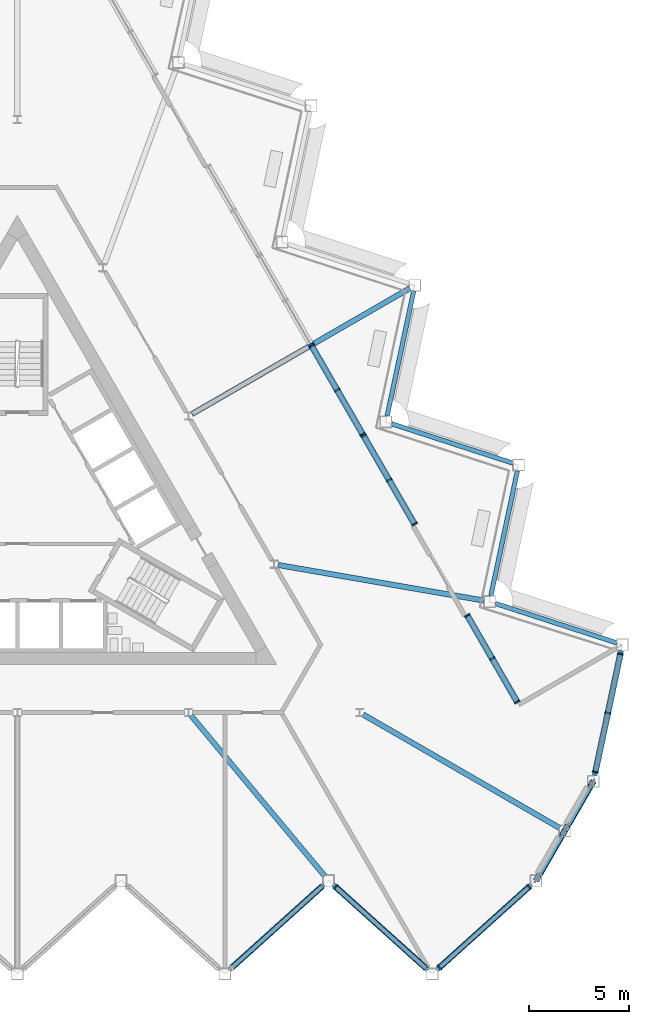
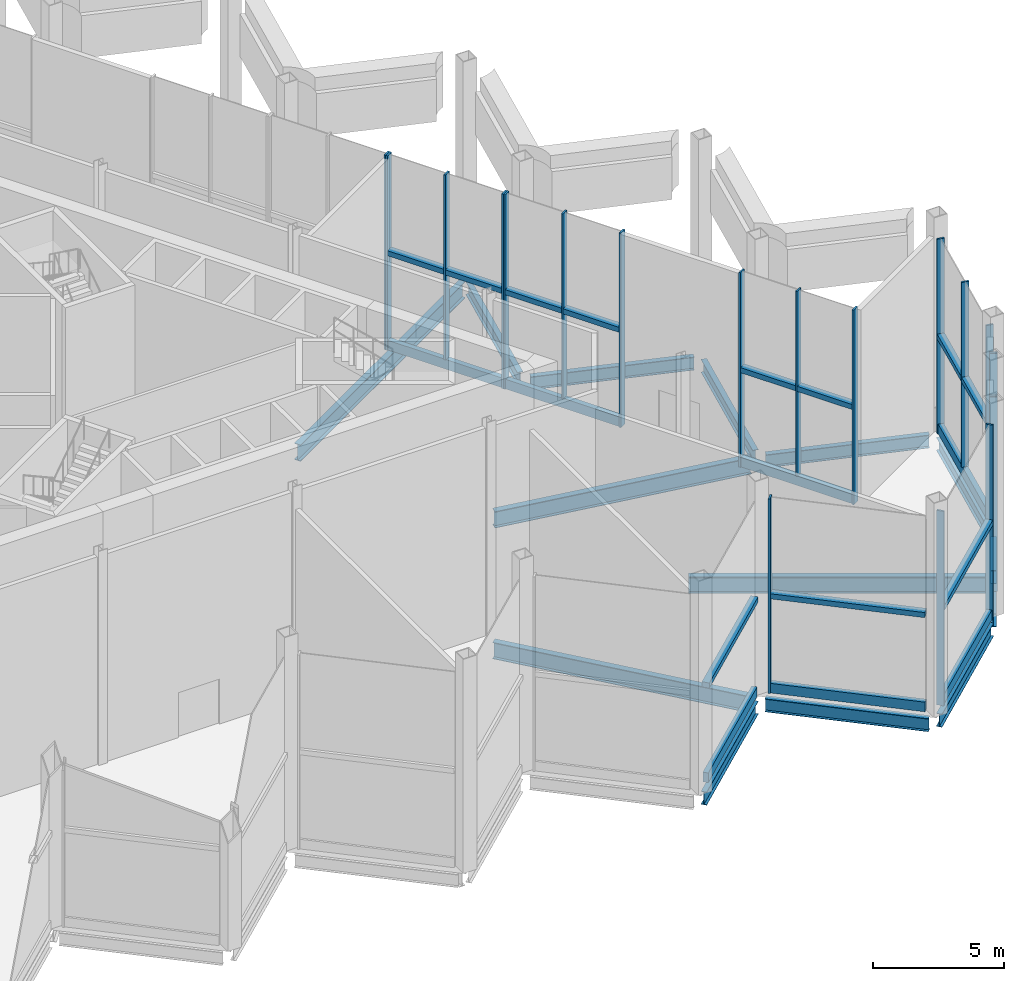
# One storey, part 5 of 18: 36 members, 14 beams, 6 elements without a shape of their own.
"""IFC4 building model written with IfcOpenShell, lengths in metres."""

from ifc_helpers import new_model, si_unit, direction, frame, origin, origin_2d, place, context, subcontext, project, spatial, rectangle, hollow_rectangle, i_section, extrude, material, layer, layer_set, material_profile, profile_set, type_object, element, aggregate, save


model = new_model("IFC4")

# Units and contexts
model_context = context("Model", 3, precision=1e-05, world=origin(), true_north=direction((0.0, 1.0)))
body_context = subcontext(model_context, "Body", "Model", "MODEL_VIEW")
ifc_project = project(units=[si_unit("LENGTHUNIT", "METRE"), si_unit("AREAUNIT", "SQUARE_METRE"), si_unit("VOLUMEUNIT", "CUBIC_METRE"), si_unit("PLANEANGLEUNIT", "RADIAN"), si_unit("MASSUNIT", "GRAM", prefix="KILO")], contexts=[model_context])

# Site, building, storey
site_placement = place(None, origin())
site = spatial("IfcSite", under=ifc_project, at=site_placement, CompositionType="ELEMENT")
building_placement = place(site_placement, origin())
building = spatial("IfcBuilding", under=site, at=building_placement, Name="Cormorant Prow Tower", CompositionType="ELEMENT")
storey_placement = place(building_placement, frame((0.0, 0.0, 346.0)))
storey = spatial("IfcBuildingStorey", under=building, at=storey_placement, Name="L78", CompositionType="ELEMENT", Elevation=346.0)

# Members
ifc_material_1 = material(Name="Structural steel ASTM A500 Gr C", Category="steel")
ifc_material_profile_1 = material_profile(ifc_material_1, hollow_rectangle(XDim=0.3046875, YDim=0.3046875, WallThickness=0.01171875, at=origin_2d()), Name="HSS12x12x1/2")
ifc_profile_set_1 = profile_set([ifc_material_profile_1], Name="Structural steel ASTM A500 Gr C")
member_type_1 = type_object("IfcMemberType", Name="Chamfer brace HSS12x12x1/2", PredefinedType="BRACE", material=ifc_profile_set_1)
for number, where, z_axis, x_axis, name in (
    (1, (26.054443359375, -18.224609375, 0.924072265625), (0.171162385088, 0.296444886131, 0.939587072824), (-0.866012943183, 0.500021581774, 0.0), "Chamfer brace BR3 at ESE00 L78"),
    (2, (27.491455078125, -15.73583984375, 0.924072265625), (0.171130020601, 0.296475393957, 0.93958334214), (-0.866076158501, 0.499912079947, 0.0), "Chamfer brace BR3 at ESE01 L78"),
):
    element("IfcMember", number, at=place(storey_placement, frame(where, z_axis=z_axis, x_axis=x_axis)), inside=storey, type_object=member_type_1, Name=name, PredefinedType="BRACE", context=body_context, shape_type="SweptSolid", body=[
        extrude(hollow_rectangle(XDim=0.3046875, YDim=0.3046875, WallThickness=0.01171875, at=origin_2d()), origin(), (0.0, 0.0, 1.0), 7.705322265625),
    ])

# Beams
ifc_material_2 = material(Name="Structural steel ASTM A992 Gr 50", Category="steel")
ifc_material_profile_2 = material_profile(ifc_material_2, i_section(OverallWidth=0.267822265625, OverallDepth=0.77001953125, WebThickness=0.015625, FlangeThickness=0.025390625, at=origin_2d()), Name="W30x132")
ifc_profile_set_2 = profile_set([ifc_material_profile_2], Name="Structural steel ASTM A992 Gr 50")
beam_type_1 = type_object("IfcBeamType", Name="Radial floor beam W30x132", PredefinedType="BEAM", material=ifc_profile_set_2)
beam_1_placement = place(storey_placement, frame((8.705078125, -10.057373046875, -0.68505859375), z_axis=(0.640239469619, -0.768175384624, 0.0), x_axis=(0.768175384624, 0.640239469619, 0.0)))
element("IfcBeam", 3, at=beam_1_placement, inside=storey, type_object=beam_type_1, Name="Radial floor beam FB3 8 L78", PredefinedType="BEAM", context=body_context, shape_type="SweptSolid", body=[
    extrude(i_section(OverallWidth=0.267822265625, OverallDepth=0.77001953125, WebThickness=0.015625, FlangeThickness=0.025390625, at=origin_2d()), origin(), (0.0, 0.0, 1.0), 10.465087890625),
])
beam_2_placement = place(storey_placement, frame((17.328125, -10.00439453125, -0.68505859375), z_axis=(0.866024637028, -0.500001328059, 0.0), x_axis=(0.500001328059, 0.866024637028, 0.0)))
element("IfcBeam", 4, at=beam_2_placement, inside=storey, type_object=beam_type_1, Name="Radial floor beam FB3 9 L78", PredefinedType="BEAM", context=body_context, shape_type="SweptSolid", body=[
    extrude(i_section(OverallWidth=0.267822265625, OverallDepth=0.77001953125, WebThickness=0.015625, FlangeThickness=0.025390625, at=origin_2d()), origin(), (0.0, 0.0, 1.0), 11.3671875),
])
beam_3_placement = place(storey_placement, frame((13.0625, -2.510009765625, -0.68505859375), z_axis=(0.985379592304, -0.170373293304, 0.0), x_axis=(0.170373293304, 0.985379592304, 0.0)))
element("IfcBeam", 5, at=beam_3_placement, inside=storey, type_object=beam_type_1, Name="Radial floor beam FB3 10 L78", PredefinedType="BEAM", context=body_context, shape_type="SweptSolid", body=[
    extrude(i_section(OverallWidth=0.267822265625, OverallDepth=0.77001953125, WebThickness=0.015625, FlangeThickness=0.025390625, at=origin_2d()), origin(), (0.0, 0.0, 1.0), 10.465087890625),
])
beam_4_placement = place(storey_placement, frame((8.749755859375, 5.051513671875, -0.68505859375), z_axis=(0.866021086443, 0.50000747778, 0.0), x_axis=(-0.50000747778, 0.866021086443, 0.0)))
element("IfcBeam", 6, at=beam_4_placement, inside=storey, type_object=beam_type_1, Name="Radial floor beam FB3 11 L78", PredefinedType="BEAM", context=body_context, shape_type="SweptSolid", body=[
    extrude(i_section(OverallWidth=0.267822265625, OverallDepth=0.77001953125, WebThickness=0.015625, FlangeThickness=0.025390625, at=origin_2d()), origin(), (0.0, 0.0, 1.0), 12.604736328125),
])

# Curtain wall, members
ifc_material_3 = material(Name="Aluminium 6063-T6", Category="aluminium")
ifc_layer = layer(ifc_material_3, 0.300048828125)
ifc_layer_set = layer_set([ifc_layer], Name="Aluminium 6063-T6")
curtain_wall_type = type_object("IfcCurtainWallType", Name="Sky lobby unitised curtain wall 300", PredefinedType="NOTDEFINED", material=ifc_layer_set)
curtain_wall_1_placement = place(storey_placement, origin())
curtain_wall_1 = element("IfcCurtainWall", 7, at=curtain_wall_1_placement, inside=storey, type_object=curtain_wall_type, Name="Sky lobby curtain wall S00-S09", PredefinedType="NOTDEFINED")
ifc_material_4 = material(Name="Aluminium 6063-T6", Category="aluminium")
ifc_material_profile_3 = material_profile(ifc_material_4, rectangle(XDim=0.300048828125, YDim=0.239990234375, at=origin_2d()), Name="Sky lobby intermediate transom 300x240")
ifc_profile_set_3 = profile_set([ifc_material_profile_3], Name="Aluminium 6063-T6")
member_type_2 = type_object("IfcMemberType", Name="Sky lobby intermediate transom 300x240", PredefinedType="USERDEFINED", material=ifc_profile_set_3)
member_1_placement = place(storey_placement, frame((10.780029296875, -22.6640625, 4.5439453125), z_axis=(0.743153626468, 0.66912083174, 0.0), x_axis=(-0.66912083174, 0.743153626468, 0.0)))
member_1 = element("IfcMember", 8, at=member_1_placement, type_object=member_type_2, Name="Sky lobby intermediate transom S00-S09", ObjectType="TRANSOM", PredefinedType="USERDEFINED", context=body_context, shape_type="SweptSolid", body=[
    extrude(rectangle(XDim=0.300048828125, YDim=0.239990234375, at=origin_2d()), origin(), (0.0, 0.0, 1.0), 6.048095703125),
])
member_2_placement = place(storey_placement, frame((15.979248046875, -18.670654296875, 4.5439453125), z_axis=(0.743133553875, -0.669143124529, 0.0), x_axis=(0.669143124529, 0.743133553875, 0.0)))
member_2 = element("IfcMember", 9, at=member_2_placement, type_object=member_type_2, Name="Sky lobby intermediate transom S00-S09", ObjectType="TRANSOM", PredefinedType="USERDEFINED", context=body_context, shape_type="SweptSolid", body=[
    extrude(rectangle(XDim=0.300048828125, YDim=0.239990234375, at=origin_2d()), origin(), (0.0, 0.0, 1.0), 6.048095703125),
])
member_3_placement = place(storey_placement, frame((21.17822265625, -22.6640625, 4.5439453125), z_axis=(0.743157849422, 0.66911614152, 0.0), x_axis=(-0.66911614152, 0.743157849422, 0.0)))
member_3 = element("IfcMember", 10, at=member_3_placement, type_object=member_type_2, Name="Sky lobby intermediate transom S00-S09", ObjectType="TRANSOM", PredefinedType="USERDEFINED", context=body_context, shape_type="SweptSolid", body=[
    extrude(rectangle(XDim=0.300048828125, YDim=0.239990234375, at=origin_2d()), origin(), (0.0, 0.0, 1.0), 5.96826171875),
])

curtain_wall_2_placement = place(storey_placement, origin())
curtain_wall_2 = element("IfcCurtainWall", 11, at=curtain_wall_2_placement, inside=storey, type_object=curtain_wall_type, Name="Sky lobby curtain wall ENE00", PredefinedType="NOTDEFINED")
member_4_placement = place(storey_placement, frame((28.97607421875, -12.846435546875, 4.5439453125), z_axis=(0.207903387829, 0.978149365552, 0.0), x_axis=(-0.978149365552, 0.207903387829, 0.0)))
member_4 = element("IfcMember", 12, at=member_4_placement, type_object=member_type_2, Name="Sky lobby intermediate transom ENE00", ObjectType="TRANSOM", PredefinedType="USERDEFINED", context=body_context, shape_type="SweptSolid", body=[
    extrude(rectangle(XDim=0.300048828125, YDim=0.239990234375, at=origin_2d()), origin(), (0.0, 0.0, 1.0), 2.94384765625),
])
member_5_placement = place(storey_placement, frame((29.604736328125, -9.888427734375, 4.5439453125), z_axis=(0.207903387829, 0.978149365552, 0.0), x_axis=(-0.978149365552, 0.207903387829, 0.0)))
member_5 = element("IfcMember", 13, at=member_5_placement, type_object=member_type_2, Name="Sky lobby intermediate transom ENE00", ObjectType="TRANSOM", PredefinedType="USERDEFINED", context=body_context, shape_type="SweptSolid", body=[
    extrude(rectangle(XDim=0.300048828125, YDim=0.239990234375, at=origin_2d()), origin(), (0.0, 0.0, 1.0), 2.94384765625),
])

curtain_wall_3_placement = place(storey_placement, origin())
curtain_wall_3 = element("IfcCurtainWall", 14, at=curtain_wall_3_placement, inside=storey, type_object=curtain_wall_type, Name="Sky lobby curtain wall loggia ENE01", PredefinedType="NOTDEFINED")
member_6_placement = place(storey_placement, frame((25.03271484375, -9.341552734375, 4.5439453125), z_axis=(-0.500059486739, 0.865991056375, 0.0), x_axis=(-0.865991056375, -0.500059486739, 0.0)))
member_6 = element("IfcMember", 15, at=member_6_placement, type_object=member_type_2, Name="Sky lobby intermediate transom loggia ENE01", ObjectType="TRANSOM", PredefinedType="USERDEFINED", context=body_context, shape_type="SweptSolid", body=[
    extrude(rectangle(XDim=0.300048828125, YDim=0.239990234375, at=origin_2d()), origin(), (0.0, 0.0, 1.0), 2.424560546875),
])
member_7_placement = place(storey_placement, frame((23.7802734375, -7.172607421875, 4.5439453125), z_axis=(-0.499940363534, 0.866059832176, 0.0), x_axis=(-0.866059832176, -0.499940363534, 0.0)))
member_7 = element("IfcMember", 16, at=member_7_placement, type_object=member_type_2, Name="Sky lobby intermediate transom loggia ENE01", ObjectType="TRANSOM", PredefinedType="USERDEFINED", context=body_context, shape_type="SweptSolid", body=[
    extrude(rectangle(XDim=0.300048828125, YDim=0.239990234375, at=origin_2d()), origin(), (0.0, 0.0, 1.0), 2.424560546875),
])

curtain_wall_4_placement = place(storey_placement, origin())
curtain_wall_4 = element("IfcCurtainWall", 17, at=curtain_wall_4_placement, inside=storey, type_object=curtain_wall_type, Name="Sky lobby curtain wall loggia ENE03", PredefinedType="NOTDEFINED")
member_8_placement = place(storey_placement, frame((19.888427734375, -0.431640625, 4.5439453125), z_axis=(-0.500015093611, 0.866016689309, 0.0), x_axis=(-0.866016689309, -0.500015093611, 0.0)))
member_8 = element("IfcMember", 18, at=member_8_placement, type_object=member_type_2, Name="Sky lobby intermediate transom loggia ENE03", ObjectType="TRANSOM", PredefinedType="USERDEFINED", context=body_context, shape_type="SweptSolid", body=[
    extrude(rectangle(XDim=0.300048828125, YDim=0.239990234375, at=origin_2d()), origin(), (0.0, 0.0, 1.0), 2.4794921875),
])
member_9_placement = place(storey_placement, frame((18.608642578125, 1.784912109375, 4.5439453125), z_axis=(-0.500015093611, 0.866016689309, 0.0), x_axis=(-0.866016689309, -0.500015093611, 0.0)))
member_9 = element("IfcMember", 19, at=member_9_placement, type_object=member_type_2, Name="Sky lobby intermediate transom loggia ENE03", ObjectType="TRANSOM", PredefinedType="USERDEFINED", context=body_context, shape_type="SweptSolid", body=[
    extrude(rectangle(XDim=0.300048828125, YDim=0.239990234375, at=origin_2d()), origin(), (0.0, 0.0, 1.0), 2.4794921875),
])

curtain_wall_5_placement = place(storey_placement, origin())
curtain_wall_5 = element("IfcCurtainWall", 20, at=curtain_wall_5_placement, inside=storey, type_object=curtain_wall_type, Name="Sky lobby curtain wall loggia ENE04", PredefinedType="NOTDEFINED")
member_10_placement = place(storey_placement, frame((17.2890625, 4.07080078125, 4.5439453125), z_axis=(-0.499972458349, 0.86604130438, 0.0), x_axis=(-0.86604130438, -0.499972458349, 0.0)))
member_10 = element("IfcMember", 21, at=member_10_placement, type_object=member_type_2, Name="Sky lobby intermediate transom loggia ENE04", ObjectType="TRANSOM", PredefinedType="USERDEFINED", context=body_context, shape_type="SweptSolid", body=[
    extrude(rectangle(XDim=0.300048828125, YDim=0.239990234375, at=origin_2d()), origin(), (0.0, 0.0, 1.0), 2.479736328125),
])
member_11_placement = place(storey_placement, frame((16.00927734375, 6.287353515625, 4.5439453125), z_axis=(-0.499972458349, 0.86604130438, 0.0), x_axis=(-0.86604130438, -0.499972458349, 0.0)))
member_11 = element("IfcMember", 22, at=member_11_placement, type_object=member_type_2, Name="Sky lobby intermediate transom loggia ENE04", ObjectType="TRANSOM", PredefinedType="USERDEFINED", context=body_context, shape_type="SweptSolid", body=[
    extrude(rectangle(XDim=0.300048828125, YDim=0.239990234375, at=origin_2d()), origin(), (0.0, 0.0, 1.0), 2.479736328125),
])

# Member
ifc_material_5 = material(Name="Aluminium 6063-T6", Category="aluminium")
ifc_material_profile_4 = material_profile(ifc_material_5, rectangle(XDim=0.300048828125, YDim=0.080078125, at=origin_2d()), Name="Sky lobby mullion 80x300")
ifc_profile_set_4 = profile_set([ifc_material_profile_4], Name="Aluminium 6063-T6")
member_type_3 = type_object("IfcMemberType", Name="Sky lobby mullion 80x300", PredefinedType="MULLION", material=ifc_profile_set_4)
member_12_placement = place(storey_placement, frame((15.949462890625, -18.64404296875, 0.0), z_axis=(0.0, 0.0, 1.0), x_axis=(0.669130688656, 0.743144751377, 0.0)))
member_12 = element("IfcMember", 23, at=member_12_placement, type_object=member_type_3, Name="Sky lobby mullion S00-S09", PredefinedType="MULLION", context=body_context, shape_type="SweptSolid", body=[
    extrude(rectangle(XDim=0.300048828125, YDim=0.080078125, at=origin_2d()), origin(), (0.0, 0.0, 1.0), 9.087890625),
])

member_13_placement = place(storey_placement, frame((21.148681640625, -22.69091796875, 0.0), z_axis=(0.0, 0.0, 1.0), x_axis=(-0.669130617578, 0.743144815375, 0.0)))
member_13 = element("IfcMember", 24, at=member_13_placement, type_object=member_type_3, Name="Sky lobby mullion S00-S09", PredefinedType="MULLION", context=body_context, shape_type="SweptSolid", body=[
    extrude(rectangle(XDim=0.300048828125, YDim=0.080078125, at=origin_2d()), origin(), (0.0, 0.0, 1.0), 9.087890625),
])

member_14_placement = place(storey_placement, frame((25.64306640625, -18.64404296875, 0.0), z_axis=(0.0, 0.0, 1.0), x_axis=(-0.669130617578, 0.743144815375, 0.0)))
member_14 = element("IfcMember", 25, at=member_14_placement, type_object=member_type_3, Name="Sky lobby mullion S00-S09", PredefinedType="MULLION", context=body_context, shape_type="SweptSolid", body=[
    extrude(rectangle(XDim=0.300048828125, YDim=0.080078125, at=origin_2d()), origin(), (0.0, 0.0, 1.0), 9.087890625),
])

member_15_placement = place(storey_placement, frame((28.9677734375, -12.885498046875, 0.0), z_axis=(0.0, 0.0, 1.0), x_axis=(-0.978147585431, 0.20791176281, 0.0)))
member_15 = element("IfcMember", 26, at=member_15_placement, type_object=member_type_3, Name="Sky lobby mullion ENE00", PredefinedType="MULLION", context=body_context, shape_type="SweptSolid", body=[
    extrude(rectangle(XDim=0.300048828125, YDim=0.080078125, at=origin_2d()), origin(), (0.0, 0.0, 1.0), 9.087890625),
])

member_16_placement = place(storey_placement, frame((29.596435546875, -9.927734375, 0.449951171875), z_axis=(0.0, 0.0, 1.0), x_axis=(-0.978147585431, 0.20791176281, 0.0)))
member_16 = element("IfcMember", 27, at=member_16_placement, type_object=member_type_3, Name="Sky lobby mullion ENE00", PredefinedType="MULLION", context=body_context, shape_type="SweptSolid", body=[
    extrude(rectangle(XDim=0.300048828125, YDim=0.080078125, at=origin_2d()), origin(), (0.0, 0.0, 1.0), 8.637939453125),
])

member_17_placement = place(storey_placement, frame((30.22509765625, -6.9697265625, 0.0), z_axis=(0.0, 0.0, 1.0), x_axis=(-0.978147585431, 0.20791176281, 0.0)))
member_17 = element("IfcMember", 28, at=member_17_placement, type_object=member_type_3, Name="Sky lobby mullion ENE00", PredefinedType="MULLION", context=body_context, shape_type="SweptSolid", body=[
    extrude(rectangle(XDim=0.300048828125, YDim=0.080078125, at=origin_2d()), origin(), (0.0, 0.0, 1.0), 9.087890625),
])

member_18_placement = place(storey_placement, frame((25.052490234375, -9.376220703125, 0.0), z_axis=(0.0, 0.0, 1.0), x_axis=(-0.866025413174, -0.499999983736, 0.0)))
member_18 = element("IfcMember", 29, at=member_18_placement, type_object=member_type_3, Name="Sky lobby mullion loggia ENE01", PredefinedType="MULLION", context=body_context, shape_type="SweptSolid", body=[
    extrude(rectangle(XDim=0.300048828125, YDim=0.080078125, at=origin_2d()), origin(), (0.0, 0.0, 1.0), 9.087890625),
])

member_19_placement = place(storey_placement, frame((23.80029296875, -7.207275390625, 0.449951171875), z_axis=(0.0, 0.0, 1.0), x_axis=(-0.866025413174, -0.499999983736, 0.0)))
member_19 = element("IfcMember", 30, at=member_19_placement, type_object=member_type_3, Name="Sky lobby mullion loggia ENE01", PredefinedType="MULLION", context=body_context, shape_type="SweptSolid", body=[
    extrude(rectangle(XDim=0.300048828125, YDim=0.080078125, at=origin_2d()), origin(), (0.0, 0.0, 1.0), 8.637939453125),
])

member_20_placement = place(storey_placement, frame((22.548095703125, -5.0380859375, 0.0), z_axis=(0.0, 0.0, 1.0), x_axis=(-0.866025413174, -0.499999983736, 0.0)))
member_20 = element("IfcMember", 31, at=member_20_placement, type_object=member_type_3, Name="Sky lobby mullion loggia ENE01", PredefinedType="MULLION", context=body_context, shape_type="SweptSolid", body=[
    extrude(rectangle(XDim=0.300048828125, YDim=0.080078125, at=origin_2d()), origin(), (0.0, 0.0, 1.0), 9.087890625),
])

member_21_placement = place(storey_placement, frame((19.908447265625, -0.46630859375, 0.0), z_axis=(0.0, 0.0, 1.0), x_axis=(-0.866025413174, -0.499999983736, 0.0)))
member_21 = element("IfcMember", 32, at=member_21_placement, type_object=member_type_3, Name="Sky lobby mullion loggia ENE03", PredefinedType="MULLION", context=body_context, shape_type="SweptSolid", body=[
    extrude(rectangle(XDim=0.300048828125, YDim=0.080078125, at=origin_2d()), origin(), (0.0, 0.0, 1.0), 9.087890625),
])

member_22_placement = place(storey_placement, frame((18.628662109375, 1.750244140625, 0.449951171875), z_axis=(0.0, 0.0, 1.0), x_axis=(-0.866025413174, -0.499999983736, 0.0)))
member_22 = element("IfcMember", 33, at=member_22_placement, type_object=member_type_3, Name="Sky lobby mullion loggia ENE03", PredefinedType="MULLION", context=body_context, shape_type="SweptSolid", body=[
    extrude(rectangle(XDim=0.300048828125, YDim=0.080078125, at=origin_2d()), origin(), (0.0, 0.0, 1.0), 8.637939453125),
])

member_23_placement = place(storey_placement, frame((17.348876953125, 3.966796875, 0.0), z_axis=(0.0, 0.0, 1.0), x_axis=(-0.866025413174, -0.499999983736, 0.0)))
member_23 = element("IfcMember", 34, at=member_23_placement, type_object=member_type_3, Name="Sky lobby mullion loggia ENE03", PredefinedType="MULLION", context=body_context, shape_type="SweptSolid", body=[
    extrude(rectangle(XDim=0.300048828125, YDim=0.080078125, at=origin_2d()), origin(), (0.0, 0.0, 1.0), 9.087890625),
])

member_24_placement = place(storey_placement, frame((17.30908203125, 4.0361328125, 0.0), z_axis=(0.0, 0.0, 1.0), x_axis=(-0.866025413174, -0.499999983736, 0.0)))
member_24 = element("IfcMember", 35, at=member_24_placement, type_object=member_type_3, Name="Sky lobby mullion loggia ENE04", PredefinedType="MULLION", context=body_context, shape_type="SweptSolid", body=[
    extrude(rectangle(XDim=0.300048828125, YDim=0.080078125, at=origin_2d()), origin(), (0.0, 0.0, 1.0), 9.087890625),
])

member_25_placement = place(storey_placement, frame((16.029296875, 6.252685546875, 0.449951171875), z_axis=(0.0, 0.0, 1.0), x_axis=(-0.866025413174, -0.499999983736, 0.0)))
member_25 = element("IfcMember", 36, at=member_25_placement, type_object=member_type_3, Name="Sky lobby mullion loggia ENE04", PredefinedType="MULLION", context=body_context, shape_type="SweptSolid", body=[
    extrude(rectangle(XDim=0.300048828125, YDim=0.080078125, at=origin_2d()), origin(), (0.0, 0.0, 1.0), 8.637939453125),
])

member_26_placement = place(storey_placement, frame((14.74951171875, 8.469482421875, 0.0), z_axis=(0.0, 0.0, 1.0), x_axis=(-0.866025413174, -0.499999983736, 0.0)))
member_26 = element("IfcMember", 37, at=member_26_placement, type_object=member_type_3, Name="Sky lobby mullion loggia ENE04", PredefinedType="MULLION", context=body_context, shape_type="SweptSolid", body=[
    extrude(rectangle(XDim=0.300048828125, YDim=0.080078125, at=origin_2d()), origin(), (0.0, 0.0, 1.0), 9.087890625),
])

# Curtain wall, member
curtain_wall_6_placement = place(storey_placement, origin())
curtain_wall_6 = element("IfcCurtainWall", 38, at=curtain_wall_6_placement, inside=storey, type_object=curtain_wall_type, Name="Sky lobby curtain wall loggia ENE05", PredefinedType="NOTDEFINED")
member_27_placement = place(storey_placement, frame((14.70947265625, 8.53857421875, 0.0), z_axis=(0.0, 0.0, 1.0), x_axis=(-0.866025413174, -0.499999983736, 0.0)))
member_27 = element("IfcMember", 39, at=member_27_placement, type_object=member_type_3, Name="Sky lobby mullion loggia ENE05", PredefinedType="MULLION", context=body_context, shape_type="SweptSolid", body=[
    extrude(rectangle(XDim=0.300048828125, YDim=0.080078125, at=origin_2d()), origin(), (0.0, 0.0, 1.0), 9.087890625),
])
aggregate(curtain_wall_6, [member_27])

# Member
ifc_material_6 = material(Name="Terracotta", Category="masonry")
ifc_material_profile_5 = material_profile(ifc_material_6, rectangle(XDim=0.219970703125, YDim=0.449951171875, at=origin_2d()), Name="Sky lobby terracotta spandrel rail 220x450")
ifc_profile_set_5 = profile_set([ifc_material_profile_5], Name="Terracotta")
member_type_4 = type_object("IfcMemberType", Name="Sky lobby terracotta spandrel rail 220x450", PredefinedType="USERDEFINED", material=ifc_profile_set_5)
member_28_placement = place(storey_placement, frame((10.780029296875, -22.6640625, 0.22509765625), z_axis=(0.743153626468, 0.66912083174, 0.0), x_axis=(-0.66912083174, 0.743153626468, 0.0)))
member_28 = element("IfcMember", 40, at=member_28_placement, type_object=member_type_4, Name="Sky lobby spandrel rail S00-S09", ObjectType="TRANSOM", PredefinedType="USERDEFINED", context=body_context, shape_type="SweptSolid", body=[
    extrude(rectangle(XDim=0.219970703125, YDim=0.449951171875, at=origin_2d()), origin(), (0.0, 0.0, 1.0), 6.048095703125),
])

member_29_placement = place(storey_placement, frame((15.979248046875, -18.670654296875, 0.22509765625), z_axis=(0.743133553875, -0.669143124529, 0.0), x_axis=(0.669143124529, 0.743133553875, 0.0)))
member_29 = element("IfcMember", 41, at=member_29_placement, type_object=member_type_4, Name="Sky lobby spandrel rail S00-S09", ObjectType="TRANSOM", PredefinedType="USERDEFINED", context=body_context, shape_type="SweptSolid", body=[
    extrude(rectangle(XDim=0.219970703125, YDim=0.449951171875, at=origin_2d()), origin(), (0.0, 0.0, 1.0), 6.048095703125),
])

member_30_placement = place(storey_placement, frame((21.17822265625, -22.6640625, 0.22509765625), z_axis=(0.743157849422, 0.66911614152, 0.0), x_axis=(-0.66911614152, 0.743157849422, 0.0)))
member_30 = element("IfcMember", 42, at=member_30_placement, type_object=member_type_4, Name="Sky lobby spandrel rail S00-S09", ObjectType="TRANSOM", PredefinedType="USERDEFINED", context=body_context, shape_type="SweptSolid", body=[
    extrude(rectangle(XDim=0.219970703125, YDim=0.449951171875, at=origin_2d()), origin(), (0.0, 0.0, 1.0), 5.96826171875),
])

aggregate(curtain_wall_1, [member_28, member_1, member_12, member_29, member_2, member_13, member_14, member_30, member_3])

member_31_placement = place(storey_placement, frame((28.97607421875, -12.846435546875, 0.22509765625), z_axis=(0.207894471444, 0.978151260666, 0.0), x_axis=(-0.978151260666, 0.207894471444, 0.0)))
member_31 = element("IfcMember", 43, at=member_31_placement, type_object=member_type_4, Name="Sky lobby spandrel rail ENE00", ObjectType="TRANSOM", PredefinedType="USERDEFINED", context=body_context, shape_type="SweptSolid", body=[
    extrude(rectangle(XDim=0.219970703125, YDim=0.449951171875, at=origin_2d()), origin(), (0.0, 0.0, 1.0), 5.968017578125),
])

aggregate(curtain_wall_2, [member_15, member_16, member_17, member_31, member_4, member_5])

member_32_placement = place(storey_placement, frame((25.03271484375, -9.341552734375, 0.22509765625), z_axis=(-0.500001134594, 0.866024748725, 0.0), x_axis=(-0.866024748725, -0.500001134594, 0.0)))
member_32 = element("IfcMember", 44, at=member_32_placement, type_object=member_type_4, Name="Sky lobby spandrel rail loggia ENE01", ObjectType="TRANSOM", PredefinedType="USERDEFINED", context=body_context, shape_type="SweptSolid", body=[
    extrude(rectangle(XDim=0.219970703125, YDim=0.449951171875, at=origin_2d()), origin(), (0.0, 0.0, 1.0), 4.92919921875),
])

aggregate(curtain_wall_3, [member_18, member_19, member_20, member_32, member_6, member_7])

member_33_placement = place(storey_placement, frame((19.888427734375, -0.431640625, 0.22509765625), z_axis=(-0.500016035621, 0.866016145416, 0.0), x_axis=(-0.866016145416, -0.500016035621, 0.0)))
member_33 = element("IfcMember", 45, at=member_33_placement, type_object=member_type_4, Name="Sky lobby spandrel rail loggia ENE03", ObjectType="TRANSOM", PredefinedType="USERDEFINED", context=body_context, shape_type="SweptSolid", body=[
    extrude(rectangle(XDim=0.219970703125, YDim=0.449951171875, at=origin_2d()), origin(), (0.0, 0.0, 1.0), 5.038818359375),
])

aggregate(curtain_wall_4, [member_21, member_22, member_23, member_33, member_8, member_9])

member_34_placement = place(storey_placement, frame((17.2890625, 4.07080078125, 0.22509765625), z_axis=(-0.499995055936, 0.866028258222, 0.0), x_axis=(-0.866028258222, -0.499995055936, 0.0)))
member_34 = element("IfcMember", 46, at=member_34_placement, type_object=member_type_4, Name="Sky lobby spandrel rail loggia ENE04", ObjectType="TRANSOM", PredefinedType="USERDEFINED", context=body_context, shape_type="SweptSolid", body=[
    extrude(rectangle(XDim=0.219970703125, YDim=0.449951171875, at=origin_2d()), origin(), (0.0, 0.0, 1.0), 5.0390625),
])

aggregate(curtain_wall_5, [member_24, member_25, member_26, member_34, member_10, member_11])

# Beams
ifc_material_7 = material(Name="Structural steel ASTM A992 Gr 50", Category="steel")
ifc_material_profile_6 = material_profile(ifc_material_7, i_section(OverallWidth=0.22900390625, OverallDepth=0.612060546875, WebThickness=0.011962890625, FlangeThickness=0.01953125, at=origin_2d()), Name="W24x84")
ifc_profile_set_6 = profile_set([ifc_material_profile_6], Name="Structural steel ASTM A992 Gr 50")
beam_type_2 = type_object("IfcBeamType", Name="Spandrel beam W24x84", PredefinedType="SPANDREL", material=ifc_profile_set_6)
beam_5_placement = place(storey_placement, frame((10.62109375, -22.807373046875, -0.60595703125), z_axis=(0.743144186555, 0.669131315954, 0.0), x_axis=(-0.669131315954, 0.743144186555, 0.0)))
element("IfcBeam", 47, at=beam_5_placement, inside=storey, type_object=beam_type_2, Name="Spandrel beam SB3 S07-S08 L78", PredefinedType="SPANDREL", context=body_context, shape_type="SweptSolid", body=[
    extrude(i_section(OverallWidth=0.22900390625, OverallDepth=0.612060546875, WebThickness=0.011962890625, FlangeThickness=0.01953125, at=origin_2d()), origin(), (0.0, 0.0, 1.0), 6.39599609375),
])
beam_6_placement = place(storey_placement, frame((15.820068359375, -18.527587890625, -0.60595703125), z_axis=(0.743161276225, -0.669112335502, 0.0), x_axis=(0.669112335502, 0.743161276225, 0.0)))
element("IfcBeam", 48, at=beam_6_placement, inside=storey, type_object=beam_type_2, Name="Spandrel beam SB3 S08-S09 L78", PredefinedType="SPANDREL", context=body_context, shape_type="SweptSolid", body=[
    extrude(i_section(OverallWidth=0.22900390625, OverallDepth=0.612060546875, WebThickness=0.011962890625, FlangeThickness=0.01953125, at=origin_2d()), origin(), (0.0, 0.0, 1.0), 6.396240234375),
])
beam_7_placement = place(storey_placement, frame((21.019287109375, -22.807373046875, -0.60595703125), z_axis=(0.743144186555, 0.669131315954, 0.0), x_axis=(-0.669131315954, 0.743144186555, 0.0)))
element("IfcBeam", 49, at=beam_7_placement, inside=storey, type_object=beam_type_2, Name="Spandrel beam SB3 S09-ESE00 L78", PredefinedType="SPANDREL", context=body_context, shape_type="SweptSolid", body=[
    extrude(i_section(OverallWidth=0.22900390625, OverallDepth=0.612060546875, WebThickness=0.011962890625, FlangeThickness=0.01953125, at=origin_2d()), origin(), (0.0, 0.0, 1.0), 6.39599609375),
])
beam_8_placement = place(storey_placement, frame((26.1455078125, -18.06689453125, -0.60595703125), z_axis=(0.49997342893, 0.866040744055, 0.0), x_axis=(-0.866040744055, 0.49997342893, 0.0)))
element("IfcBeam", 50, at=beam_8_placement, inside=storey, type_object=beam_type_2, Name="Spandrel beam SB3 ESE00-ESE01 L78", PredefinedType="SPANDREL", context=body_context, shape_type="SweptSolid", body=[
    extrude(i_section(OverallWidth=0.22900390625, OverallDepth=0.612060546875, WebThickness=0.011962890625, FlangeThickness=0.01953125, at=origin_2d()), origin(), (0.0, 0.0, 1.0), 2.2734375),
])
beam_9_placement = place(storey_placement, frame((27.582275390625, -15.578125, -0.60595703125), z_axis=(0.500053962254, 0.865994246421, 0.0), x_axis=(-0.865994246421, 0.500053962254, 0.0)))
element("IfcBeam", 51, at=beam_9_placement, inside=storey, type_object=beam_type_2, Name="Spandrel beam SB3 ESE01-ENE00 L78", PredefinedType="SPANDREL", context=body_context, shape_type="SweptSolid", body=[
    extrude(i_section(OverallWidth=0.22900390625, OverallDepth=0.612060546875, WebThickness=0.011962890625, FlangeThickness=0.01953125, at=origin_2d()), origin(), (0.0, 0.0, 1.0), 2.273681640625),
])
beam_10_placement = place(storey_placement, frame((28.931640625, -13.055908203125, -0.60595703125), z_axis=(0.20791262393, 0.978147402394, 0.0), x_axis=(-0.978147402394, 0.20791262393, 0.0)))
element("IfcBeam", 52, at=beam_10_placement, inside=storey, type_object=beam_type_2, Name="Spandrel beam SB3 ENE00-ENE01 L78", PredefinedType="SPANDREL", context=body_context, shape_type="SweptSolid", body=[
    extrude(i_section(OverallWidth=0.22900390625, OverallDepth=0.612060546875, WebThickness=0.011962890625, FlangeThickness=0.01953125, at=origin_2d()), origin(), (0.0, 0.0, 1.0), 6.396240234375),
])
beam_11_placement = place(storey_placement, frame((30.038330078125, -6.413330078125, -0.60595703125), z_axis=(-0.951064359156, 0.308992855489, 0.0), x_axis=(-0.308992855489, -0.951064359156, 0.0)))
element("IfcBeam", 53, at=beam_11_placement, inside=storey, type_object=beam_type_2, Name="Spandrel beam SB3 ENE01-ENE02 L78", PredefinedType="SPANDREL", context=body_context, shape_type="SweptSolid", body=[
    extrude(i_section(OverallWidth=0.22900390625, OverallDepth=0.612060546875, WebThickness=0.011962890625, FlangeThickness=0.01953125, at=origin_2d()), origin(), (0.0, 0.0, 1.0), 6.39599609375),
])
beam_12_placement = place(storey_placement, frame((23.732421875, -4.05078125, -0.60595703125), z_axis=(0.20791262393, 0.978147402394, 0.0), x_axis=(-0.978147402394, 0.20791262393, 0.0)))
element("IfcBeam", 54, at=beam_12_placement, inside=storey, type_object=beam_type_2, Name="Spandrel beam SB3 ENE02-ENE03 L78", PredefinedType="SPANDREL", context=body_context, shape_type="SweptSolid", body=[
    extrude(i_section(OverallWidth=0.22900390625, OverallDepth=0.612060546875, WebThickness=0.011962890625, FlangeThickness=0.01953125, at=origin_2d()), origin(), (0.0, 0.0, 1.0), 6.396240234375),
])
beam_13_placement = place(storey_placement, frame((24.83935546875, 2.591796875, -0.60595703125), z_axis=(-0.951064359156, 0.308992855489, 0.0), x_axis=(-0.308992855489, -0.951064359156, 0.0)))
element("IfcBeam", 55, at=beam_13_placement, inside=storey, type_object=beam_type_2, Name="Spandrel beam SB3 ENE03-ENE04 L78", PredefinedType="SPANDREL", context=body_context, shape_type="SweptSolid", body=[
    extrude(i_section(OverallWidth=0.22900390625, OverallDepth=0.612060546875, WebThickness=0.011962890625, FlangeThickness=0.01953125, at=origin_2d()), origin(), (0.0, 0.0, 1.0), 6.39599609375),
])
beam_14_placement = place(storey_placement, frame((18.533447265625, 4.954345703125, -0.60595703125), z_axis=(0.20791262393, 0.978147402394, 0.0), x_axis=(-0.978147402394, 0.20791262393, 0.0)))
element("IfcBeam", 56, at=beam_14_placement, inside=storey, type_object=beam_type_2, Name="Spandrel beam SB3 ENE04-ENE05 L78", PredefinedType="SPANDREL", context=body_context, shape_type="SweptSolid", body=[
    extrude(i_section(OverallWidth=0.22900390625, OverallDepth=0.612060546875, WebThickness=0.011962890625, FlangeThickness=0.01953125, at=origin_2d()), origin(), (0.0, 0.0, 1.0), 6.396240234375),
])

save(model, "model.ifc")
